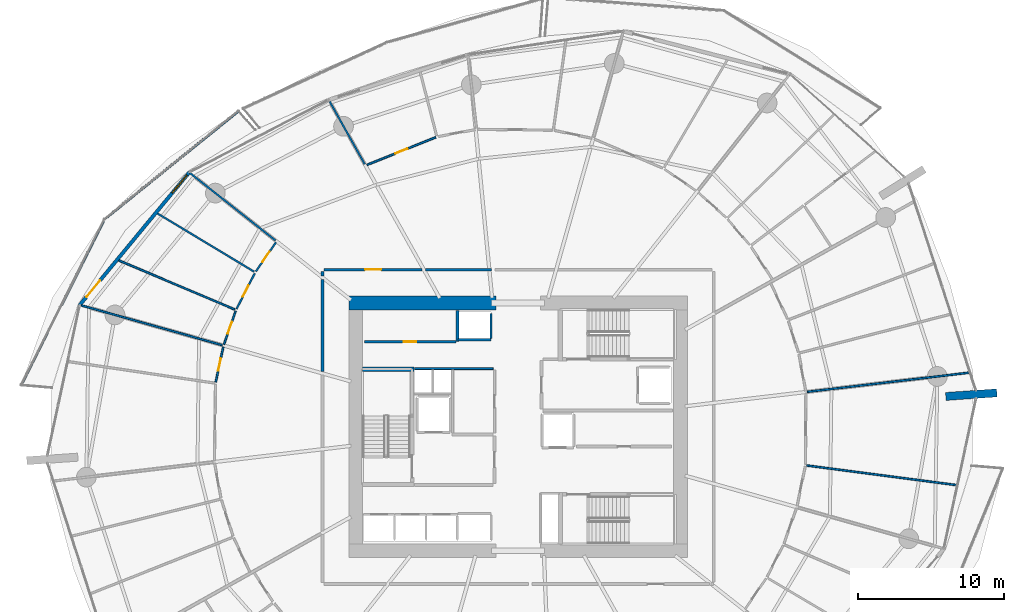
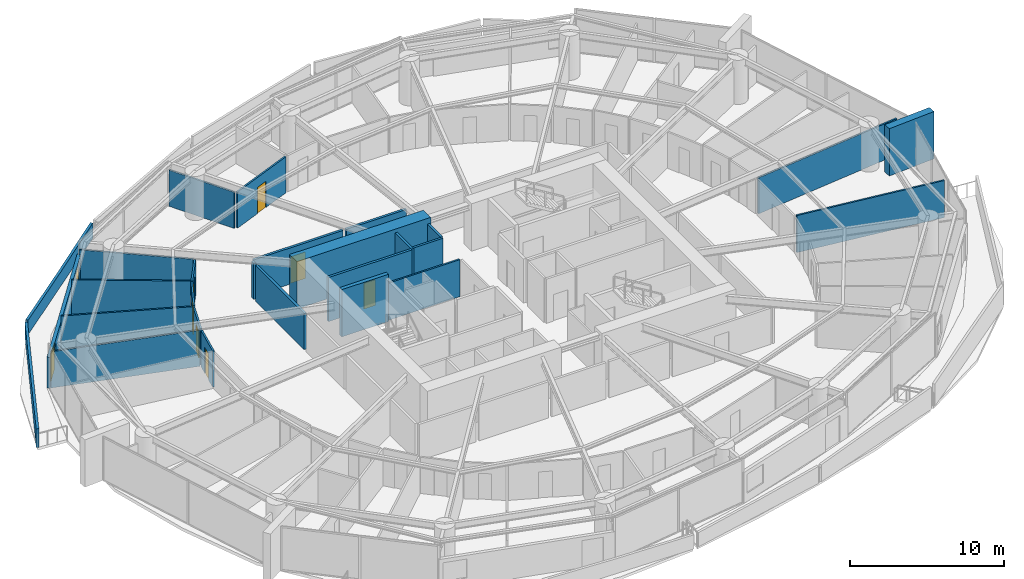
# One storey, part 22 of 31: 27 walls, 8 doors, 1 window, 9 openings.
"""IFC4 building model written with IfcOpenShell, lengths in metres."""

from ifc_helpers import new_model, si_unit, direction, frame, frame_2d, origin, place, context, subcontext, project, spatial, polyline, rectangle, outline, extrude, material, layer, layer_set, type_object, element, fill, save


model = new_model("IFC4")

# Units and contexts
model_context = context("Model", 3, precision=1e-05, world=origin(), true_north=direction((0.0, 1.0)))
body_context = subcontext(model_context, "Body", "Model", "MODEL_VIEW")
ifc_project = project(units=[si_unit("LENGTHUNIT", "METRE"), si_unit("AREAUNIT", "SQUARE_METRE"), si_unit("VOLUMEUNIT", "CUBIC_METRE"), si_unit("PLANEANGLEUNIT", "RADIAN"), si_unit("MASSUNIT", "GRAM", prefix="KILO")], contexts=[model_context])

# Site, building, storey
site_placement = place(None, origin())
site = spatial("IfcSite", under=ifc_project, at=site_placement, CompositionType="ELEMENT")
building_placement = place(site_placement, origin())
building = spatial("IfcBuilding", under=site, at=building_placement, Name="Kazma Halo Residences", CompositionType="ELEMENT")
storey_placement = place(building_placement, frame((0.0, 0.0, 33.89990234375)))
storey = spatial("IfcBuildingStorey", under=building, at=storey_placement, Name="L07", CompositionType="ELEMENT", Elevation=33.89990234375)

# Walls
ifc_material_1 = material(Name="White Concrete C50/60 Balustrade", Category="concrete")
ifc_layer_1 = layer(ifc_material_1, 0.179931640625)
ifc_layer_set_1 = layer_set([ifc_layer_1], Name="White Concrete C50/60 Balustrade")
wall_type_1 = type_object("IfcWallType", Name="WL-BAL-WAVE-180", PredefinedType="PARAPET", material=ifc_layer_set_1)
wall_1_placement = place(storey_placement, frame((29.318115234375, 63.60498046875, 0.0), z_axis=(0.0, 0.0, 1.0), x_axis=(-0.778164801363, -0.628060141961, 0.0)))
element("IfcWall", 1, at=wall_1_placement, inside=storey, type_object=wall_type_1, Name="L07 white wave balustrade wall NW.1", PredefinedType="PARAPET", context=body_context, shape_type="SweptSolid", body=[
    extrude(outline(polyline([(0.0, 0.0), (11.676513671875, 0.0), (11.676513671875, 1.148193359375), (5.838134765625, 1.127197265625), (0.0, 1.22412109375), (0.0, 0.0)])), frame((0.0, 0.08984375, 0.0), z_axis=(0.0, -1.0, 0.0), x_axis=(1.0, 0.0, 0.0)), (0.0, 0.0, 1.0), 0.179931640625),
])
wall_2_placement = place(storey_placement, frame((20.084716796875, 56.0888671875, 0.0), z_axis=(0.0, 0.0, 1.0), x_axis=(-0.448439969312, -0.893812952425, 0.0)))
element("IfcWall", 2, at=wall_2_placement, inside=storey, type_object=wall_type_1, Name="L07 white wave balustrade wall NW.2", PredefinedType="PARAPET", context=body_context, shape_type="SweptSolid", body=[
    extrude(outline(polyline([(0.0, 0.0), (12.5771484375, 0.0), (12.5771484375, 1.483154296875), (6.28857421875, 1.2841796875), (0.0, 1.148193359375), (0.0, 0.0)])), frame((0.0, 0.08984375, 0.0), z_axis=(0.0, -1.0, 0.0), x_axis=(1.0, 0.0, 0.0)), (0.0, 0.0, 1.0), 0.179931640625),
])
ifc_material_2 = material(Name="Pale Concrete C60/75", Category="concrete")
ifc_layer_2 = layer(ifc_material_2, 0.550048828125)
ifc_layer_set_2 = layer_set([ifc_layer_2], Name="Pale Concrete C60/75")
wall_type_2 = type_object("IfcWallType", Name="WL-BLADE-550", PredefinedType="SOLIDWALL", material=ifc_layer_set_2)
wall_3_placement = place(storey_placement, frame((77.677978515625, 44.0751953125, 0.0), z_axis=(0.0, 0.0, 1.0), x_axis=(0.997564163539, 0.069754853754, 0.0)))
element("IfcWall", 3, at=wall_3_placement, inside=storey, type_object=wall_type_2, Name="L07 pale concrete structural blade fin wall BW-04", PredefinedType="SOLIDWALL", context=body_context, shape_type="SweptSolid", body=[
    extrude(rectangle(XDim=3.5, YDim=0.550048828125, at=frame_2d((1.75, 0.0))), origin(), (0.0, 0.0, 1.0), 3.75),
])
ifc_material_3 = material(Name="Concrete C80/95", Category="concrete")
ifc_layer_3 = layer(ifc_material_3, 0.949951171875)
ifc_layer_set_3 = layer_set([ifc_layer_3], Name="Concrete C80/95")
wall_type_3 = type_object("IfcWallType", Name="WL-CORE-950", PredefinedType="SHEAR", material=ifc_layer_set_3)
wall_4_placement = place(storey_placement, frame((36.85009765625, 50.47509765625, 0.0), z_axis=(0.0, 0.0, 1.0), x_axis=(1.0, 0.0, 0.0)))
element("IfcWall", 4, at=wall_4_placement, inside=storey, type_object=wall_type_3, Name="L07 central core shear wall NW", PredefinedType="SHEAR", context=body_context, shape_type="SweptSolid", body=[
    extrude(rectangle(XDim=10.0498046875, YDim=0.949951171875, at=frame_2d((5.02490234375, 0.0))), origin(), (0.0, 0.0, 1.0), 3.75),
])
ifc_material_4 = material(Name="Concrete C60/75", Category="concrete")
ifc_layer_4 = layer(ifc_material_4, 0.280029296875)
ifc_layer_set_4 = layer_set([ifc_layer_4], Name="Concrete C60/75")
wall_type_4 = type_object("IfcWallType", Name="WL-CORE-ST-280", PredefinedType="SHEAR", material=ifc_layer_set_4)
wall_5_placement = place(storey_placement, frame((37.800048828125, 45.93994140625, 0.0), z_axis=(0.0, 0.0, 1.0), x_axis=(1.0, 0.0, 0.0)))
element("IfcWall", 5, at=wall_5_placement, inside=storey, type_object=wall_type_4, Name="L07 stairwell bearing wall ST01-N", PredefinedType="SHEAR", context=body_context, shape_type="SweptSolid", body=[
    extrude(rectangle(XDim=3.5, YDim=0.280029296875, at=frame_2d((1.75, 0.0))), origin(), (0.0, 0.0, 1.0), 3.75),
])

# Wall, opening, door
ifc_material_5 = material(Name="Acoustic Twin-Stud Gypsum")
ifc_layer_5 = layer(ifc_material_5, 0.179931640625)
ifc_layer_set_5 = layer_set([ifc_layer_5], Name="Acoustic Twin-Stud Gypsum")
wall_type_5 = type_object("IfcWallType", Name="WL-DEM-180", PredefinedType="PARTITIONING", material=ifc_layer_set_5)
wall_6_placement = place(storey_placement, frame((41.859619140625, 52.75, 0.0), z_axis=(0.0, 0.0, 1.0), x_axis=(-1.0, 0.0, 0.0)))
wall_6 = element("IfcWall", 6, at=wall_6_placement, inside=storey, type_object=wall_type_5, Name="L07 Apartment 1 entrance corridor wall", PredefinedType="PARTITIONING", context=body_context, shape_type="SweptSolid", body=[
    extrude(rectangle(XDim=6.689697265625, YDim=0.179931640625, at=frame_2d((3.3447265625, 0.0))), origin(), (0.0, 0.0, 1.0), 2.8671875),
])
opening_1_placement = place(wall_6_placement, frame((2.794921875, 0.0, 0.0)))
opening_1 = element("IfcOpeningElement", 7, at=opening_1_placement, cuts=wall_6, Name="Opening DA-1100", PredefinedType="OPENING", context=body_context, shape_type="SweptSolid", body=[
    extrude(rectangle(XDim=1.10009765625, YDim=2.10009765625, at=frame_2d((0.550048828125, 1.050048828125))), frame((0.0, 0.099853515625, 0.0), z_axis=(0.0, -1.0, 0.0), x_axis=(1.0, 0.0, 0.0)), (0.0, 0.0, 1.0), 0.199951171875),
])
ifc_material_6 = material(Name="Acoustic Walnut Fire Leaf")
door_type_1 = type_object("IfcDoorType", Name="DR-FD60-1100", OperationType="NOTDEFINED", PredefinedType="DOOR", material=ifc_material_6)
door_1_placement = place(opening_1_placement, origin())
door_1 = element("IfcDoor", 8, at=door_1_placement, inside=storey, type_object=door_type_1, Name="L07 Apartment 1 entrance fire door", OperationType="SINGLE_SWING_LEFT", OverallHeight=2.10009765625, OverallWidth=1.10009765625, PredefinedType="DOOR", context=body_context, shape_type="SweptSolid", body=[
    extrude(rectangle(XDim=1.10009765625, YDim=2.10009765625, at=frame_2d((0.550048828125, 1.050048828125))), frame((0.0, 0.02490234375, 0.0), z_axis=(0.0, -1.0, 0.0), x_axis=(1.0, 0.0, 0.0)), (0.0, 0.0, 1.0), 0.050048828125),
])
fill(opening_1, door_1)

# Walls
wall_7_placement = place(storey_placement, frame((35.050048828125, 52.6298828125, 0.0), z_axis=(0.0, 0.0, 1.0), x_axis=(0.0, -1.0, 0.0)))
element("IfcWall", 9, at=wall_7_placement, inside=storey, type_object=wall_type_5, Name="L07 Apartment 1 entrance corridor wall", PredefinedType="PARTITIONING", context=body_context, shape_type="SweptSolid", body=[
    extrude(rectangle(XDim=0.30078125, YDim=0.179931640625, at=frame_2d((0.150390625, 0.0))), origin(), (0.0, 0.0, 1.0), 2.8671875),
])
wall_8_placement = place(storey_placement, frame((46.607666015625, 52.75, 0.0), z_axis=(0.0, 0.0, 1.0), x_axis=(-1.0, 0.0, 0.0)))
element("IfcWall", 10, at=wall_8_placement, inside=storey, type_object=wall_type_5, Name="L07 Apartment 1 inner wall 3", PredefinedType="PARTITIONING", context=body_context, shape_type="SweptSolid", body=[
    extrude(rectangle(XDim=4.508056640625, YDim=0.179931640625, at=frame_2d((2.25390625, 0.0))), origin(), (0.0, 0.0, 1.0), 2.8671875),
])
wall_9_placement = place(storey_placement, frame((35.050048828125, 52.089111328125, 0.0), z_axis=(0.0, 0.0, 1.0), x_axis=(0.0, -1.0, 0.0)))
element("IfcWall", 11, at=wall_9_placement, inside=storey, type_object=wall_type_5, Name="L07 Apartment 1 inner wall 5", PredefinedType="PARTITIONING", context=body_context, shape_type="SweptSolid", body=[
    extrude(rectangle(XDim=6.31689453125, YDim=0.179931640625, at=frame_2d((3.158447265625, 0.0))), origin(), (0.0, 0.0, 1.0), 2.8671875),
])

# Wall, openings, door, window
ifc_material_7 = material(Name="Insulated Pale-Metal Composite Wall")
ifc_layer_6 = layer(ifc_material_7, 0.239990234375)
ifc_layer_set_6 = layer_set([ifc_layer_6], Name="Insulated Pale-Metal Composite Wall")
wall_type_6 = type_object("IfcWallType", Name="WL-EXT-HOST-240", PredefinedType="SOLIDWALL", material=ifc_layer_set_6)
wall_10_placement = place(storey_placement, frame((25.966796875, 59.433349609375, 0.0), z_axis=(0.0, 0.0, 1.0), x_axis=(-0.636674332663, -0.771132799281, 0.0)))
wall_10 = element("IfcWall", 12, at=wall_10_placement, inside=storey, type_object=wall_type_6, Name="L07 exterior terrace-access wall B06", PredefinedType="SOLIDWALL", context=body_context, shape_type="SweptSolid", body=[
    extrude(rectangle(XDim=11.851318359375, YDim=0.239990234375, at=frame_2d((5.92578125, 0.0))), origin(), (0.0, 0.0, 1.0), 2.4501953125),
])
opening_2_placement = place(wall_10_placement, frame((9.631103515625, 0.0, 0.0)))
opening_2 = element("IfcOpeningElement", 13, at=opening_2_placement, cuts=wall_10, Name="Opening DTR-1600", PredefinedType="OPENING", context=body_context, shape_type="SweptSolid", body=[
    extrude(rectangle(XDim=1.449951171875, YDim=2.14990234375, at=frame_2d((0.72509765625, 1.074951171875))), frame((0.0, 0.1298828125, 0.0), z_axis=(0.0, -1.0, 0.0), x_axis=(1.0, 0.0, 0.0)), (0.0, 0.0, 1.0), 0.260009765625),
])
opening_3_placement = place(wall_10_placement, frame((0.280029296875, 0.0, 0.64990234375)))
opening_3 = element("IfcOpeningElement", 14, at=opening_3_placement, cuts=wall_10, Name="Opening W-1800", PredefinedType="OPENING", context=body_context, shape_type="SweptSolid", body=[
    extrude(rectangle(XDim=1.60009765625, YDim=1.5, at=frame_2d((0.800048828125, 0.75))), frame((0.0, 0.1298828125, 0.0), z_axis=(0.0, -1.0, 0.0), x_axis=(1.0, 0.0, 0.0)), (0.0, 0.0, 1.0), 0.260009765625),
])
ifc_material_8 = material(Name="Aluminium AW-6063 T6 Double-Glazed Terrace Door", Category="aluminium")
door_type_2 = type_object("IfcDoorType", Name="DR-EXT-TERR-1600", OperationType="NOTDEFINED", PredefinedType="DOOR", material=ifc_material_8)
door_2_placement = place(opening_2_placement, origin())
door_2 = element("IfcDoor", 15, at=door_2_placement, inside=storey, type_object=door_type_2, Name="L07 B06 balcony terrace door", OperationType="DOUBLE_DOOR_SLIDING", OverallHeight=2.14990234375, OverallWidth=1.449951171875, PredefinedType="DOOR", context=body_context, shape_type="SweptSolid", body=[
    extrude(rectangle(XDim=1.449951171875, YDim=2.14990234375, at=frame_2d((0.72509765625, 1.074951171875))), frame((0.0, 0.02490234375, 0.0), z_axis=(0.0, -1.0, 0.0), x_axis=(1.0, 0.0, 0.0)), (0.0, 0.0, 1.0), 0.050048828125),
])
fill(opening_2, door_2)
ifc_material_9 = material(Name="Clear Triple-Silver Low-E Glass in Aluminium AW-6063 T6 Frame", Category="aluminium")
window_type = type_object("IfcWindowType", Name="WIN-RES-1800", PartitioningType="DOUBLE_PANEL_VERTICAL", PredefinedType="WINDOW", material=ifc_material_9)
window_placement = place(opening_3_placement, origin())
window = element("IfcWindow", 16, at=window_placement, inside=storey, type_object=window_type, Name="L07 B06 apartment window", OverallHeight=1.5, OverallWidth=1.60009765625, PartitioningType="SINGLE_PANEL", PredefinedType="WINDOW", context=body_context, shape_type="SweptSolid", body=[
    extrude(rectangle(XDim=1.60009765625, YDim=1.5, at=frame_2d((0.800048828125, 0.75))), frame((0.0, 0.030029296875, 0.0), z_axis=(0.0, -1.0, 0.0), x_axis=(1.0, 0.0, 0.0)), (0.0, 0.0, 1.0), 0.06005859375),
])
fill(opening_3, window)

# Walls
ifc_material_10 = material(Name="Fire-Rated Blockwork Masonry", Category="masonry")
ifc_layer_7 = layer(ifc_material_10, 0.199951171875)
ifc_layer_set_7 = layer_set([ifc_layer_7], Name="Fire-Rated Blockwork Masonry")
wall_type_7 = type_object("IfcWallType", Name="WL-FLB-200", PredefinedType="PARTITIONING", material=ifc_layer_set_7)
wall_11_placement = place(storey_placement, frame((46.580078125, 47.945068359375, 0.0), z_axis=(0.0, 0.0, 1.0), x_axis=(-1.0, 0.0, 0.0)))
element("IfcWall", 17, at=wall_11_placement, inside=storey, type_object=wall_type_7, Name="L07 lift shaft PX-01 front wall", PredefinedType="PARTITIONING", context=body_context, shape_type="SweptSolid", body=[
    extrude(rectangle(XDim=2.260009765625, YDim=0.159912109375, at=frame_2d((1.1298828125, 0.0))), origin(), (0.0, 0.0, 1.0), 3.5),
])
wall_12_placement = place(storey_placement, frame((46.580078125, 48.044921875, 0.0), z_axis=(0.0, 0.0, 1.0), x_axis=(0.0, 1.0, 0.0)))
element("IfcWall", 18, at=wall_12_placement, inside=storey, type_object=wall_type_7, Name="L07 lift shaft PX-01 side wall E", PredefinedType="PARTITIONING", context=body_context, shape_type="SweptSolid", body=[
    extrude(rectangle(XDim=1.7099609375, YDim=0.159912109375, at=frame_2d((0.85498046875, 0.0))), origin(), (0.0, 0.0, 1.0), 3.5),
])

# Wall, opening, door
wall_13_placement = place(storey_placement, frame((37.919921875, 47.820068359375, 0.0), z_axis=(0.0, 0.0, 1.0), x_axis=(1.0, 0.0, 0.0)))
wall_13 = element("IfcWall", 19, at=wall_13_placement, inside=storey, type_object=wall_type_7, Name="L07 core north reserve wall", PredefinedType="PARTITIONING", context=body_context, shape_type="SweptSolid", body=[
    extrude(rectangle(XDim=6.260009765625, YDim=0.179931640625, at=frame_2d((3.1298828125, 0.0))), origin(), (0.0, 0.0, 1.0), 3.5),
])
opening_4_placement = place(wall_13_placement, frame((2.705078125, 0.0, 0.0)))
opening_4 = element("IfcOpeningElement", 20, at=opening_4_placement, cuts=wall_13, Name="Opening DS-850", PredefinedType="OPENING", context=body_context, shape_type="SweptSolid", body=[
    extrude(rectangle(XDim=0.85009765625, YDim=2.06005859375, at=frame_2d((0.425048828125, 1.030029296875))), frame((0.0, 0.099853515625, 0.0), z_axis=(0.0, -1.0, 0.0), x_axis=(1.0, 0.0, 0.0)), (0.0, 0.0, 1.0), 0.199951171875),
])
ifc_material_11 = material(Name="Painted Steel Access Leaf", Category="steel")
door_type_3 = type_object("IfcDoorType", Name="DR-SVC-850", OperationType="NOTDEFINED", PredefinedType="DOOR", material=ifc_material_11)
door_3_placement = place(opening_4_placement, origin())
door_3 = element("IfcDoor", 21, at=door_3_placement, inside=storey, type_object=door_type_3, Name="L07 core north reserve door", OperationType="SINGLE_SWING_LEFT", OverallHeight=2.06005859375, OverallWidth=0.85009765625, PredefinedType="DOOR", context=body_context, shape_type="SweptSolid", body=[
    extrude(rectangle(XDim=0.85009765625, YDim=2.06005859375, at=frame_2d((0.425048828125, 1.030029296875))), frame((0.0, 0.02490234375, 0.0), z_axis=(0.0, -1.0, 0.0), x_axis=(1.0, 0.0, 0.0)), (0.0, 0.0, 1.0), 0.050048828125),
])
fill(opening_4, door_3)

# Walls
wall_14_placement = place(storey_placement, frame((44.280029296875, 47.820068359375, 0.0), z_axis=(0.0, 0.0, 1.0), x_axis=(0.0, 1.0, 0.0)))
element("IfcWall", 22, at=wall_14_placement, inside=storey, type_object=wall_type_7, Name="L07 PX-01 hoistway west wall", PredefinedType="PARTITIONING", context=body_context, shape_type="SweptSolid", body=[
    extrude(rectangle(XDim=2.1298828125, YDim=0.179931640625, at=frame_2d((1.06494140625, 0.0))), origin(), (0.0, 0.0, 1.0), 3.5),
])
ifc_material_12 = material(Name="Gypsum Plasterboard Partition")
ifc_layer_8 = layer(ifc_material_12, 0.125)
ifc_layer_set_8 = layer_set([ifc_layer_8], Name="Gypsum Plasterboard Partition")
wall_type_8 = type_object("IfcWallType", Name="WL-PART-125", PredefinedType="PARTITIONING", material=ifc_layer_set_8)
wall_15_placement = place(storey_placement, frame((41.360107421875, 45.97998046875, 0.0), z_axis=(0.0, 0.0, 1.0), x_axis=(1.0, 0.0, 0.0)))
element("IfcWall", 23, at=wall_15_placement, inside=storey, type_object=wall_type_8, Name="L07 core north riser wall", PredefinedType="PARTITIONING", context=body_context, shape_type="SweptSolid", body=[
    extrude(rectangle(XDim=5.35986328125, YDim=0.125, at=frame_2d((2.679931640625, 0.0))), origin(), (0.0, 0.0, 1.0), 2.940185546875),
])
wall_16_placement = place(storey_placement, frame((37.942626953125, 59.95849609375, 0.0), z_axis=(0.0, 0.0, 1.0), x_axis=(-0.488606395453, 0.872504321091, 0.0)))
element("IfcWall", 24, at=wall_16_placement, inside=storey, type_object=wall_type_8, Name="L07 Apartment 1 living radial partition 3", PredefinedType="PARTITIONING", context=body_context, shape_type="SweptSolid", body=[
    extrude(rectangle(XDim=4.912841796875, YDim=0.125, at=frame_2d((2.45654296875, 0.0))), origin(), (0.0, 0.0, 1.0), 2.8671875),
])

# Wall, opening, door
wall_17_placement = place(storey_placement, frame((42.79150390625, 61.798095703125, 0.0), z_axis=(0.0, 0.0, 1.0), x_axis=(-0.928027868691, -0.372510771566, 0.0)))
wall_17 = element("IfcWall", 25, at=wall_17_placement, inside=storey, type_object=wall_type_8, Name="L07 Apartment 1 Outer Master Bedroom hall wall", PredefinedType="PARTITIONING", context=body_context, shape_type="SweptSolid", body=[
    extrude(rectangle(XDim=5.072021484375, YDim=0.125, at=frame_2d((2.5361328125, 0.0))), origin(), (0.0, 0.0, 1.0), 2.8671875),
])
opening_5_placement = place(wall_17_placement, frame((2.0859375, 0.0, 0.0)))
opening_5 = element("IfcOpeningElement", 26, at=opening_5_placement, cuts=wall_17, Name="Opening DI-950", PredefinedType="OPENING", context=body_context, shape_type="SweptSolid", body=[
    extrude(rectangle(XDim=0.89990234375, YDim=2.080078125, at=frame_2d((0.449951171875, 1.0400390625))), frame((0.0, 0.072509765625, 0.0), z_axis=(0.0, -1.0, 0.0), x_axis=(1.0, 0.0, 0.0)), (0.0, 0.0, 1.0), 0.14501953125),
])
ifc_material_13 = material(Name="Timber Veneer Flush Leaf", Category="wood")
door_type_4 = type_object("IfcDoorType", Name="DR-INT-950", OperationType="NOTDEFINED", PredefinedType="DOOR", material=ifc_material_13)
door_4_placement = place(opening_5_placement, origin())
door_4 = element("IfcDoor", 27, at=door_4_placement, inside=storey, type_object=door_type_4, Name="L07 Apartment 1 Outer Master Bedroom door", OperationType="SINGLE_SWING_LEFT", OverallHeight=2.080078125, OverallWidth=0.89990234375, PredefinedType="DOOR", context=body_context, shape_type="SweptSolid", body=[
    extrude(rectangle(XDim=0.89990234375, YDim=2.080078125, at=frame_2d((0.449951171875, 1.0400390625))), frame((0.0, 0.02490234375, 0.0), z_axis=(0.0, -1.0, 0.0), x_axis=(1.0, 0.0, 0.0)), (0.0, 0.0, 1.0), 0.050048828125),
])
fill(opening_5, door_4)

# Walls
wall_18_placement = place(storey_placement, frame((31.8359375, 54.742919921875, 0.0), z_axis=(0.0, 0.0, 1.0), x_axis=(-0.785333171854, 0.619073347178, 0.0)))
element("IfcWall", 28, at=wall_18_placement, inside=storey, type_object=wall_type_8, Name="L07 Apartment 1 radial partition 5", PredefinedType="PARTITIONING", context=body_context, shape_type="SweptSolid", body=[
    extrude(rectangle(XDim=7.489013671875, YDim=0.125, at=frame_2d((3.74462890625, 0.0))), origin(), (0.0, 0.0, 1.0), 2.8671875),
])
wall_19_placement = place(storey_placement, frame((30.374755859375, 52.611083984375, 0.0), z_axis=(0.0, 0.0, 1.0), x_axis=(-0.856697740307, 0.515818748936, 0.0)))
element("IfcWall", 29, at=wall_19_placement, inside=storey, type_object=wall_type_8, Name="L07 Apartment 1 bay wall 1 5", PredefinedType="PARTITIONING", context=body_context, shape_type="SweptSolid", body=[
    extrude(rectangle(XDim=7.70361328125, YDim=0.125, at=frame_2d((3.851806640625, 0.0))), origin(), (0.0, 0.0, 1.0), 2.940185546875),
])
wall_20_placement = place(storey_placement, frame((29.055419921875, 50.02197265625, 0.0), z_axis=(0.0, 0.0, 1.0), x_axis=(-0.920841617163, 0.389936810395, 0.0)))
element("IfcWall", 30, at=wall_20_placement, inside=storey, type_object=wall_type_8, Name="L07 Apartment 1 bay wall 2 5", PredefinedType="PARTITIONING", context=body_context, shape_type="SweptSolid", body=[
    extrude(rectangle(XDim=8.61279296875, YDim=0.125, at=frame_2d((4.306396484375, 0.0))), origin(), (0.0, 0.0, 1.0), 2.940185546875),
])

# Wall, opening, door
wall_21_placement = place(storey_placement, frame((31.868896484375, 54.614990234375, 0.0), z_axis=(0.0, 0.0, 1.0), x_axis=(-0.568588801709, -0.822621890404, 0.0)))
wall_21 = element("IfcWall", 31, at=wall_21_placement, inside=storey, type_object=wall_type_8, Name="L07 Apartment 1 Corner Bedroom hall wall", PredefinedType="PARTITIONING", context=body_context, shape_type="SweptSolid", body=[
    extrude(rectangle(XDim=2.412353515625, YDim=0.125, at=frame_2d((1.2060546875, 0.0))), origin(), (0.0, 0.0, 1.0), 2.8671875),
])
opening_6_placement = place(wall_21_placement, frame((0.78125, 0.0, 0.0)))
opening_6 = element("IfcOpeningElement", 32, at=opening_6_placement, cuts=wall_21, Name="Opening DB-900", PredefinedType="OPENING", context=body_context, shape_type="SweptSolid", body=[
    extrude(rectangle(XDim=0.85009765625, YDim=2.06005859375, at=frame_2d((0.425048828125, 1.030029296875))), frame((0.0, 0.072509765625, 0.0), z_axis=(0.0, -1.0, 0.0), x_axis=(1.0, 0.0, 0.0)), (0.0, 0.0, 1.0), 0.14501953125),
])
ifc_material_14 = material(Name="Moisture-Sealed Timber Leaf", Category="wood")
door_type_5 = type_object("IfcDoorType", Name="DR-BTH-900", OperationType="NOTDEFINED", PredefinedType="DOOR", material=ifc_material_14)
door_5_placement = place(opening_6_placement, origin())
door_5 = element("IfcDoor", 33, at=door_5_placement, inside=storey, type_object=door_type_5, Name="L07 Apartment 1 Corner Bedroom door", OperationType="SINGLE_SWING_RIGHT", OverallHeight=2.06005859375, OverallWidth=0.85009765625, PredefinedType="DOOR", context=body_context, shape_type="SweptSolid", body=[
    extrude(rectangle(XDim=0.85009765625, YDim=2.06005859375, at=frame_2d((0.425048828125, 1.030029296875))), frame((0.0, 0.02490234375, 0.0), z_axis=(0.0, -1.0, 0.0), x_axis=(1.0, 0.0, 0.0)), (0.0, 0.0, 1.0), 0.050048828125),
])
fill(opening_6, door_5)

wall_22_placement = place(storey_placement, frame((30.41552734375, 52.493408203125, 0.0), z_axis=(0.0, 0.0, 1.0), x_axis=(-0.454024795493, -0.890989048798, 0.0)))
wall_22 = element("IfcWall", 34, at=wall_22_placement, inside=storey, type_object=wall_type_8, Name="L07 Apartment 1 Garden Dressing Wardrobe hall wall", PredefinedType="PARTITIONING", context=body_context, shape_type="SweptSolid", body=[
    extrude(rectangle(XDim=2.733154296875, YDim=0.125, at=frame_2d((1.36669921875, 0.0))), origin(), (0.0, 0.0, 1.0), 2.940185546875),
])
opening_7_placement = place(wall_22_placement, frame((0.941650390625, 0.0, 0.0)))
opening_7 = element("IfcOpeningElement", 35, at=opening_7_placement, cuts=wall_22, Name="Opening DB-900", PredefinedType="OPENING", context=body_context, shape_type="SweptSolid", body=[
    extrude(rectangle(XDim=0.85009765625, YDim=2.06005859375, at=frame_2d((0.425048828125, 1.030029296875))), frame((0.0, 0.072509765625, 0.0), z_axis=(0.0, -1.0, 0.0), x_axis=(1.0, 0.0, 0.0)), (0.0, 0.0, 1.0), 0.14501953125),
])
door_6_placement = place(opening_7_placement, origin())
door_6 = element("IfcDoor", 36, at=door_6_placement, inside=storey, type_object=door_type_5, Name="L07 Apartment 1 Garden Dressing Wardrobe door", OperationType="SINGLE_SWING_LEFT", OverallHeight=2.06005859375, OverallWidth=0.85009765625, PredefinedType="DOOR", context=body_context, shape_type="SweptSolid", body=[
    extrude(rectangle(XDim=0.85009765625, YDim=2.06005859375, at=frame_2d((0.425048828125, 1.030029296875))), frame((0.0, 0.02490234375, 0.0), z_axis=(0.0, -1.0, 0.0), x_axis=(1.0, 0.0, 0.0)), (0.0, 0.0, 1.0), 0.050048828125),
])
fill(opening_7, door_6)

wall_23_placement = place(storey_placement, frame((29.11181640625, 49.911376953125, 0.0), z_axis=(0.0, 0.0, 1.0), x_axis=(-0.331369117911, -0.943501196446, 0.0)))
wall_23 = element("IfcWall", 37, at=wall_23_placement, inside=storey, type_object=wall_type_8, Name="L07 Apartment 1 Sky Bedroom hall wall", PredefinedType="PARTITIONING", context=body_context, shape_type="SweptSolid", body=[
    extrude(rectangle(XDim=2.412109375, YDim=0.125, at=frame_2d((1.2060546875, 0.0))), origin(), (0.0, 0.0, 1.0), 2.8671875),
])
opening_8_placement = place(wall_23_placement, frame((0.781005859375, 0.0, 0.0)))
opening_8 = element("IfcOpeningElement", 38, at=opening_8_placement, cuts=wall_23, Name="Opening DB-900", PredefinedType="OPENING", context=body_context, shape_type="SweptSolid", body=[
    extrude(rectangle(XDim=0.85009765625, YDim=2.06005859375, at=frame_2d((0.425048828125, 1.030029296875))), frame((0.0, 0.072509765625, 0.0), z_axis=(0.0, -1.0, 0.0), x_axis=(1.0, 0.0, 0.0)), (0.0, 0.0, 1.0), 0.14501953125),
])
door_7_placement = place(opening_8_placement, origin())
door_7 = element("IfcDoor", 39, at=door_7_placement, inside=storey, type_object=door_type_5, Name="L07 Apartment 1 Sky Bedroom door", OperationType="SINGLE_SWING_RIGHT", OverallHeight=2.06005859375, OverallWidth=0.85009765625, PredefinedType="DOOR", context=body_context, shape_type="SweptSolid", body=[
    extrude(rectangle(XDim=0.85009765625, YDim=2.06005859375, at=frame_2d((0.425048828125, 1.030029296875))), frame((0.0, 0.02490234375, 0.0), z_axis=(0.0, -1.0, 0.0), x_axis=(1.0, 0.0, 0.0)), (0.0, 0.0, 1.0), 0.050048828125),
])
fill(opening_8, door_7)

# Wall
wall_24_placement = place(storey_placement, frame((28.189697265625, 47.5869140625, 0.0), z_axis=(0.0, 0.0, 1.0), x_axis=(-0.962452458747, 0.271450298675, 0.0)))
element("IfcWall", 40, at=wall_24_placement, inside=storey, type_object=wall_type_8, Name="L07 Apartment 1 radial partition 6", PredefinedType="PARTITIONING", context=body_context, shape_type="SweptSolid", body=[
    extrude(rectangle(XDim=9.991455078125, YDim=0.125, at=frame_2d((4.99560546875, 0.0))), origin(), (0.0, 0.0, 1.0), 2.8671875),
])

# Wall, opening, door
wall_25_placement = place(storey_placement, frame((28.26513671875, 47.462158203125, 0.0), z_axis=(0.0, 0.0, 1.0), x_axis=(-0.20890462523, -0.977936019153, 0.0)))
wall_25 = element("IfcWall", 41, at=wall_25_placement, inside=storey, type_object=wall_type_8, Name="L07 Apartment 1 Gulf Wine Pantry Store hall wall", PredefinedType="PARTITIONING", context=body_context, shape_type="SweptSolid", body=[
    extrude(rectangle(XDim=2.45654296875, YDim=0.125, at=frame_2d((1.228271484375, 0.0))), origin(), (0.0, 0.0, 1.0), 2.8671875),
])
opening_9_placement = place(wall_25_placement, frame((0.80322265625, 0.0, 0.0)))
opening_9 = element("IfcOpeningElement", 42, at=opening_9_placement, cuts=wall_25, Name="Opening DB-900", PredefinedType="OPENING", context=body_context, shape_type="SweptSolid", body=[
    extrude(rectangle(XDim=0.85009765625, YDim=2.06005859375, at=frame_2d((0.425048828125, 1.030029296875))), frame((0.0, 0.072509765625, 0.0), z_axis=(0.0, -1.0, 0.0), x_axis=(1.0, 0.0, 0.0)), (0.0, 0.0, 1.0), 0.14501953125),
])
door_8_placement = place(opening_9_placement, origin())
door_8 = element("IfcDoor", 43, at=door_8_placement, inside=storey, type_object=door_type_5, Name="L07 Apartment 1 Gulf Wine Pantry Store door", OperationType="SINGLE_SWING_RIGHT", OverallHeight=2.06005859375, OverallWidth=0.85009765625, PredefinedType="DOOR", context=body_context, shape_type="SweptSolid", body=[
    extrude(rectangle(XDim=0.85009765625, YDim=2.06005859375, at=frame_2d((0.425048828125, 1.030029296875))), frame((0.0, 0.02490234375, 0.0), z_axis=(0.0, -1.0, 0.0), x_axis=(1.0, 0.0, 0.0)), (0.0, 0.0, 1.0), 0.050048828125),
])
fill(opening_9, door_8)

# Walls
wall_26_placement = place(storey_placement, frame((68.17041015625, 39.355224609375, 0.0), z_axis=(0.0, 0.0, 1.0), x_axis=(0.991512615626, -0.130010511326, 0.0)))
element("IfcWall", 44, at=wall_26_placement, inside=storey, type_object=wall_type_8, Name="L07 Apartment 2 mid-bay wall 14", PredefinedType="PARTITIONING", context=body_context, shape_type="SweptSolid", body=[
    extrude(rectangle(XDim=10.369384765625, YDim=0.125, at=frame_2d((5.1845703125, 0.0))), origin(), (0.0, 0.0, 1.0), 2.940185546875),
])
wall_27_placement = place(storey_placement, frame((68.2119140625, 44.392333984375, 0.0), z_axis=(0.0, 0.0, 1.0), x_axis=(0.993068868454, 0.117533920671, 0.0)))
element("IfcWall", 45, at=wall_27_placement, inside=storey, type_object=wall_type_8, Name="L07 Apartment 2 radial partition 15", PredefinedType="PARTITIONING", context=body_context, shape_type="SweptSolid", body=[
    extrude(rectangle(XDim=11.185791015625, YDim=0.125, at=frame_2d((5.5927734375, 0.0))), origin(), (0.0, 0.0, 1.0), 2.8671875),
])

save(model, "model.ifc")
